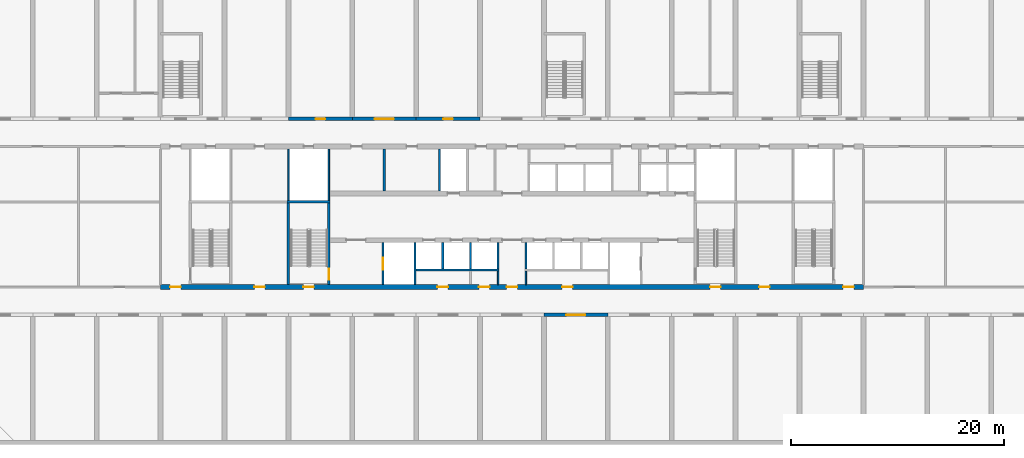
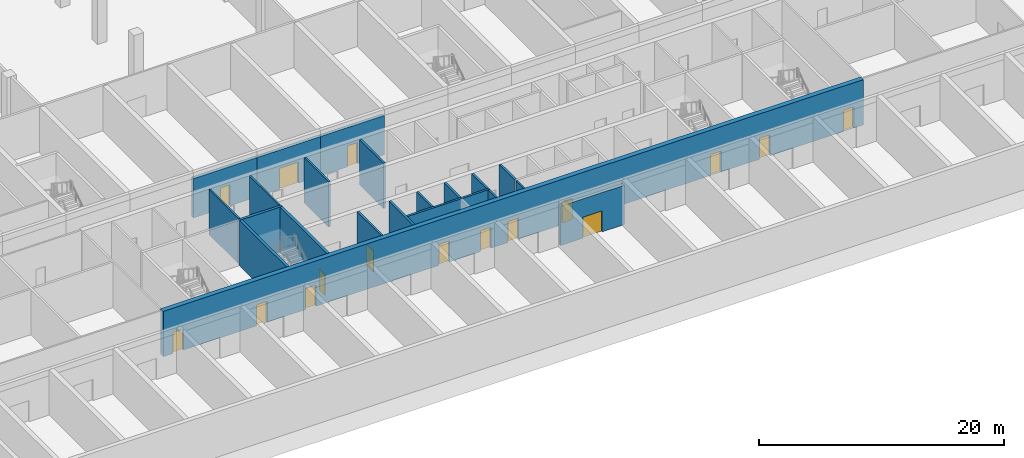
# One storey, part 8 of 20: 21 walls, 16 doors, 16 openings.
"""IFC4 building model written with IfcOpenShell, lengths in metres."""

import ifcopenshell
import ifcopenshell.guid

model = None  # the IFC model being written
_history = None  # IfcOwnerHistory: only IFC2X3 demands one
_inside = {}  # id of a spatial element -> (the spatial element, [elements in it])
_under = {}  # id of a project, library or spatial element -> (it, [spatial elements below it])
_declared = {}  # id of a project -> (the project, [libraries it declares])
_typed = {}  # id of a type object -> (the type object, [elements of that type])
_made_of = {}  # id of a material, layer set ... -> (it, [elements and type objects made of it])


def new_model(schema):
    """Start an empty IFC model of exactly this schema.

    Asked for "IFC4X3", IfcOpenShell would pick the latest addendum, in which some entities
    have other attributes; the version numbers below select the first issue.
    IFC2X3 requires an IfcOwnerHistory on every rooted entity: one is made here for all.
    """
    global model, _history
    if schema == "IFC4X3":
        model = ifcopenshell.file(schema_version=(4, 3, 0, 0))
    else:
        model = ifcopenshell.file(schema=schema)
    _inside.clear()
    _under.clear()
    _declared.clear()
    _typed.clear()
    _made_of.clear()
    _history = None
    if model.schema == "IFC2X3":
        org = make("IfcOrganization", Name="unknown")
        user = make(
            "IfcPersonAndOrganization",
            ThePerson=make("IfcPerson", FamilyName="unknown"),
            TheOrganization=org,
        )
        app = make(
            "IfcApplication",
            ApplicationDeveloper=org,
            Version="unknown",
            ApplicationFullName="unknown",
            ApplicationIdentifier="unknown",
        )
        _history = make(
            "IfcOwnerHistory",
            OwningUser=user,
            OwningApplication=app,
            ChangeAction="ADDED",
            CreationDate=0,
        )
    return model


def make(cls, **values):
    """One entity of the class cls with the attributes given. An attribute that is None is left unset."""
    return model.create_entity(
        cls, **{name: value for name, value in values.items() if value is not None}
    )


def rooted(cls, **values):
    """An entity with a GlobalId (a new one), such as an element, a storey or a relation."""
    return make(cls, GlobalId=ifcopenshell.guid.new(), OwnerHistory=_history, **values)


def si_unit(unit_type, name, prefix=None):
    """IfcSIUnit, for example si_unit("LENGTHUNIT", "METRE", prefix="MILLI")."""
    return make("IfcSIUnit", UnitType=unit_type, Prefix=prefix, Name=name)


def assignment(units):
    """IfcUnitAssignment: the units of a project."""
    return None if units is None else make("IfcUnitAssignment", Units=units)


def point(xyz):
    """IfcCartesianPoint."""
    return None if xyz is None else make("IfcCartesianPoint", Coordinates=xyz)


def direction(xyz):
    """IfcDirection."""
    return None if xyz is None else make("IfcDirection", DirectionRatios=xyz)


def frame(location, z_axis=None, x_axis=None):
    """IfcAxis2Placement3D, a coordinate frame: its origin and axes. An axis left out is left unset."""
    return make(
        "IfcAxis2Placement3D",
        Location=point(location),
        Axis=direction(z_axis),
        RefDirection=direction(x_axis),
    )


def frame_2d(location, x_axis=None):
    """IfcAxis2Placement2D, a coordinate frame in the plane: its origin and x axis."""
    return make(
        "IfcAxis2Placement2D", Location=point(location), RefDirection=direction(x_axis)
    )


def origin():
    """The frame at (0, 0, 0) with its axes left unset."""
    return frame((0.0, 0.0, 0.0))


def place(relative_to, where):
    """IfcLocalPlacement: puts the frame where relative to a parent placement (None: the world)."""
    return make(
        "IfcLocalPlacement", PlacementRelTo=relative_to, RelativePlacement=where
    )


def context(
    kind, dimensions, precision=None, world=None, true_north=None, identifier=None
):
    """IfcGeometricRepresentationContext, for example the 3D "Model" context."""
    return make(
        "IfcGeometricRepresentationContext",
        ContextIdentifier=identifier,
        ContextType=kind,
        CoordinateSpaceDimension=dimensions,
        Precision=precision,
        WorldCoordinateSystem=world,
        TrueNorth=true_north,
    )


def subcontext(parent, identifier, kind, view, scale=None):
    """IfcGeometricRepresentationSubContext, for example "Body" below "Model"."""
    return make(
        "IfcGeometricRepresentationSubContext",
        ContextIdentifier=identifier,
        ContextType=kind,
        ParentContext=parent,
        TargetScale=scale,
        TargetView=view,
    )


def project(units=None, contexts=None):
    """IfcProject with its units and contexts."""
    return rooted(
        "IfcProject",
        Name="project",
        RepresentationContexts=contexts,
        UnitsInContext=assignment(units),
    )


def spatial(cls, under=None, at=None, **own):
    """A site, building, storey or space (cls), placed at a placement, below another one or the project."""
    s = rooted(cls, ObjectPlacement=at, **own)
    if under is not None:
        _under.setdefault(under.id(), (under, []))[1].append(s)
    return s


def profile(cls, at=None, kind="AREA", **sizes):
    """A parametric profile (cls). Its sizes go by their IFC names, for example OverallWidth=200.0."""
    return make(cls, ProfileType=kind, Position=at, **sizes)


def rectangle(**sizes):
    """IfcRectangleProfileDef."""
    return profile("IfcRectangleProfileDef", **sizes)


def extrude(swept, where, along, depth):
    """IfcExtrudedAreaSolid: the profile swept, set in the frame where, extruded along a direction by depth."""
    return make(
        "IfcExtrudedAreaSolid",
        SweptArea=swept,
        Position=where,
        ExtrudedDirection=direction(along),
        Depth=depth,
    )


def shape(context_of_items, identifier, shape_type, items):
    """IfcShapeRepresentation: the items that make up one representation, for example the "Body"."""
    return make(
        "IfcShapeRepresentation",
        ContextOfItems=context_of_items,
        RepresentationIdentifier=identifier,
        RepresentationType=shape_type,
        Items=items,
    )


def material(Name=None, Category=None):
    """IfcMaterial."""
    return make("IfcMaterial", Name=Name, Category=Category)


def layer(
    of_material, thickness, ventilated=None, Name=None, Category=None, Priority=None
):
    """IfcMaterialLayer: one layer of a wall or slab, of a material (None: an air gap)."""
    return make(
        "IfcMaterialLayer",
        Material=of_material,
        LayerThickness=thickness,
        IsVentilated=ventilated,
        Name=Name,
        Category=Category,
        Priority=Priority,
    )


def layer_set(layers, Name=None):
    """IfcMaterialLayerSet."""
    return make("IfcMaterialLayerSet", MaterialLayers=layers, LayerSetName=Name)


def made_of(thing, what):
    """Note that an element or type object is made of a material, layer set ...; save() writes the relation."""
    if what is not None:
        _made_of.setdefault(what.id(), (what, []))[1].append(thing)
    return thing


def type_object(cls, material=None, **own):
    """A type object (cls), such as IfcWallType, which elements share."""
    return made_of(rooted(cls, **own), material)


def element(
    cls,
    number,
    at=None,
    inside=None,
    cuts=None,
    type_object=None,
    material=None,
    context=None,
    identifier="Body",
    shape_type=None,
    held_by="IfcProductDefinitionShape",
    body=None,
    shapes=None,
    **own,
):
    """One element of the class cls, such as IfcWall. Its Tag is "e" and its number.

    at: its placement. inside: the storey or other place that contains it. cuts: it is an
    opening in that element (IfcRelVoidsElement). A single representation is given by context,
    identifier, shape_type and body (its items); several are given by shapes. held_by: the class
    of the entity that holds the representations. save() writes the other relations.
    """
    e = rooted(cls, Tag="e%d" % number, ObjectPlacement=at, **own)
    if body is not None:
        shapes = [shape(context, identifier, shape_type, body)]
    if shapes is not None:
        e.Representation = make(held_by, Representations=shapes)
    if inside is not None:
        _inside.setdefault(inside.id(), (inside, []))[1].append(e)
    if cuts is not None:
        rooted(
            "IfcRelVoidsElement", RelatingBuildingElement=cuts, RelatedOpeningElement=e
        )
    if type_object is not None:
        _typed.setdefault(type_object.id(), (type_object, []))[1].append(e)
    return made_of(e, material)


def fill(opening, filler):
    """IfcRelFillsElement: the door or window that sits in an opening."""
    return rooted(
        "IfcRelFillsElement",
        RelatingOpeningElement=opening,
        RelatedBuildingElement=filler,
    )


def aggregate(whole, parts):
    """IfcRelAggregates: a whole, such as a stair, and the parts it consists of."""
    return rooted("IfcRelAggregates", RelatingObject=whole, RelatedObjects=parts)


def save(model, path):
    """Write the relations noted so far, then the file.

    IfcRelAggregates (storeys below a building ...), IfcRelContainedInSpatialStructure (elements
    in a storey), IfcRelDefinesByType, IfcRelAssociatesMaterial and IfcRelDeclares: one each for
    every whole, place, type object, material and project.
    """
    for whole, parts in _under.values():
        aggregate(whole, parts)
    for where, things in _inside.values():
        rooted(
            "IfcRelContainedInSpatialStructure",
            RelatedElements=things,
            RelatingStructure=where,
        )
    for kind, things in _typed.values():
        rooted("IfcRelDefinesByType", RelatedObjects=things, RelatingType=kind)
    for what, things in _made_of.values():
        rooted("IfcRelAssociatesMaterial", RelatedObjects=things, RelatingMaterial=what)
    for by, libraries in _declared.values():
        rooted("IfcRelDeclares", RelatingContext=by, RelatedDefinitions=libraries)
    model.write(path)


model = new_model("IFC4")

# Units and contexts
model_context = context("Model", 3, precision=1e-05, world=origin(), true_north=direction((0.0, 1.0)))
body_context = subcontext(model_context, "Body", "Model", "MODEL_VIEW")
ifc_project = project(units=[si_unit("LENGTHUNIT", "METRE"), si_unit("AREAUNIT", "SQUARE_METRE"), si_unit("VOLUMEUNIT", "CUBIC_METRE"), si_unit("PLANEANGLEUNIT", "RADIAN"), si_unit("MASSUNIT", "GRAM", prefix="KILO")], contexts=[model_context])

# Site, building, storey
site_placement = place(None, origin())
site = spatial("IfcSite", under=ifc_project, at=site_placement, CompositionType="ELEMENT")
building_placement = place(site_placement, origin())
building = spatial("IfcBuilding", under=site, at=building_placement, Name="Poui Terraces", CompositionType="ELEMENT")
storey_placement = place(building_placement, frame((0.0, 0.0, 6.0)))
storey = spatial("IfcBuildingStorey", under=building, at=storey_placement, Name="L01", CompositionType="ELEMENT", Elevation=6.0)

# Walls
ifc_material_1 = material(Name="Fire-rated masonry wall", Category="masonry")
ifc_layer_1 = layer(ifc_material_1, 0.199951171875)
ifc_layer_set_1 = layer_set([ifc_layer_1], Name="Fire-rated masonry wall")
wall_type_1 = type_object("IfcWallType", Name="COMPARTMENT WALL 200", PredefinedType="PARTITIONING", material=ifc_layer_set_1)
wall_1_placement = place(storey_placement, frame((39.0, 23.635009765625, 0.0), z_axis=(0.0, 0.0, 1.0), x_axis=(0.0, 1.0, 0.0)))
element("IfcWall", 1, at=wall_1_placement, inside=storey, type_object=wall_type_1, Name="COMPARTMENT WALL 200", PredefinedType="PARTITIONING", context=body_context, shape_type="SweptSolid", body=[
    extrude(rectangle(XDim=3.929931640625, YDim=0.199951171875, at=frame_2d((1.96484375, 0.0))), origin(), (0.0, 0.0, 1.0), 4.52001953125),
])
ifc_material_2 = material(Name="Fire-rated plasterboard wall")
ifc_layer_2 = layer(ifc_material_2, 0.14990234375)
ifc_layer_set_2 = layer_set([ifc_layer_2], Name="Fire-rated plasterboard wall")
wall_type_2 = type_object("IfcWallType", Name="CORRIDOR WALL 150", PredefinedType="PARTITIONING", material=ifc_layer_set_2)
for number, where, z_axis, x_axis, name in (
    (2, (49.699951171875, 14.8349609375, 0.0), (0.0, 0.0, 1.0), (0.0, 1.0, 0.0), "CORRIDOR WALL 150"),
    (3, (52.300048828125, 14.8349609375, 0.0), (0.0, 0.0, 1.0), (0.0, 1.0, 0.0), "CORRIDOR WALL 150"),
):
    element("IfcWall", number, at=place(storey_placement, frame(where, z_axis=z_axis, x_axis=x_axis)), inside=storey, type_object=wall_type_2, Name=name, PredefinedType="PARTITIONING", context=body_context, shape_type="SweptSolid", body=[
        extrude(rectangle(XDim=1.26513671875, YDim=0.14990234375, at=frame_2d((0.632568359375, 0.0))), origin(), (0.0, 0.0, 1.0), 4.52001953125),
    ])

# Wall, opening, door
ifc_material_3 = material(Name="Concrete 80 MPa", Category="concrete")
ifc_layer_3 = layer(ifc_material_3, 0.300048828125)
ifc_layer_set_3 = layer_set([ifc_layer_3], Name="Concrete 80 MPa")
wall_type_3 = type_object("IfcWallType", Name="CORRIDOR WALL 300 80MPa", PredefinedType="SHEAR", material=ifc_layer_set_3)
wall_2_placement = place(storey_placement, frame((54.0, 12.0, 0.0), z_axis=(0.0, 0.0, 1.0), x_axis=(1.0, 0.0, 0.0)))
wall_2 = element("IfcWall", 4, at=wall_2_placement, inside=storey, type_object=wall_type_3, Name="CORRIDOR WALL LINE B BAY 10", PredefinedType="SHEAR", context=body_context, shape_type="SweptSolid", body=[
    extrude(rectangle(XDim=6.0, YDim=0.300048828125, at=frame_2d((3.0, 0.0))), origin(), (0.0, 0.0, 1.0), 3.919921875),
])
opening_1_placement = place(wall_2_placement, frame((2.10009765625, 0.0, 0.0)))
opening_1 = element("IfcOpeningElement", 5, at=opening_1_placement, cuts=wall_2, Name="Opening DD180", PredefinedType="OPENING", context=body_context, shape_type="SweptSolid", body=[
    extrude(rectangle(XDim=1.800048828125, YDim=2.10009765625, at=frame_2d((0.89990234375, 1.050048828125))), frame((0.0, 0.16015625, 0.0), z_axis=(0.0, -1.0, 0.0), x_axis=(1.0, 0.0, 0.0)), (0.0, 0.0, 1.0), 0.320068359375),
])
ifc_material_4 = material(Name="Steel fire door", Category="steel")
door_type_1 = type_object("IfcDoorType", Name="DOUBLE INTERNAL DOOR 1800 X 2100", OperationType="DOUBLE_DOOR_SINGLE_SWING", PredefinedType="DOOR", material=ifc_material_4)
door_1_placement = place(opening_1_placement, origin())
door_1 = element("IfcDoor", 6, at=door_1_placement, inside=storey, type_object=door_type_1, Name="DOUBLE INTERNAL DOOR 059", OperationType="DOUBLE_DOOR_SINGLE_SWING", OverallHeight=2.10009765625, OverallWidth=1.800048828125, PredefinedType="DOOR", context=body_context, shape_type="SweptSolid", body=[
    extrude(rectangle(XDim=1.800048828125, YDim=2.10009765625, at=frame_2d((0.89990234375, 1.050048828125))), frame((0.0, 0.02490234375, 0.0), z_axis=(0.0, -1.0, 0.0), x_axis=(1.0, 0.0, 0.0)), (0.0, 0.0, 1.0), 0.050048828125),
])
fill(opening_1, door_1)

wall_3_placement = place(storey_placement, frame((30.0, 30.39990234375, 0.0), z_axis=(0.0, 0.0, 1.0), x_axis=(1.0, 0.0, 0.0)))
wall_3 = element("IfcWall", 7, at=wall_3_placement, inside=storey, type_object=wall_type_3, Name="CORRIDOR WALL LINE E BAY 6", PredefinedType="SHEAR", context=body_context, shape_type="SweptSolid", body=[
    extrude(rectangle(XDim=6.0, YDim=0.300048828125, at=frame_2d((3.0, 0.0))), origin(), (0.0, 0.0, 1.0), 3.919921875),
])
opening_2_placement = place(wall_3_placement, frame((2.550048828125, 0.0, 0.0)))
opening_2 = element("IfcOpeningElement", 8, at=opening_2_placement, cuts=wall_3, Name="Opening D90", PredefinedType="OPENING", context=body_context, shape_type="SweptSolid", body=[
    extrude(rectangle(XDim=0.89990234375, YDim=2.10009765625, at=frame_2d((0.449951171875, 1.050048828125))), frame((0.0, 0.16015625, 0.0), z_axis=(0.0, -1.0, 0.0), x_axis=(1.0, 0.0, 0.0)), (0.0, 0.0, 1.0), 0.320068359375),
])
ifc_material_5 = material(Name="Solid core timber door", Category="wood")
door_type_2 = type_object("IfcDoorType", Name="INTERNAL DOOR 900 X 2100", OperationType="NOTDEFINED", PredefinedType="DOOR", material=ifc_material_5)
door_2_placement = place(opening_2_placement, frame((0.89990234375, 0.0, 0.0), z_axis=(0.0, 0.0, 1.0), x_axis=(-1.0, 0.0, 0.0)))
door_2 = element("IfcDoor", 9, at=door_2_placement, inside=storey, type_object=door_type_2, Name="INTERNAL DOOR 014", OperationType="SINGLE_SWING_LEFT", OverallHeight=2.10009765625, OverallWidth=0.89990234375, PredefinedType="DOOR", context=body_context, shape_type="SweptSolid", body=[
    extrude(rectangle(XDim=0.89990234375, YDim=2.10009765625, at=frame_2d((0.449951171875, 1.050048828125))), frame((0.0, 0.02490234375, 0.0), z_axis=(0.0, -1.0, 0.0), x_axis=(1.0, 0.0, 0.0)), (0.0, 0.0, 1.0), 0.050048828125),
])
fill(opening_2, door_2)

wall_4_placement = place(storey_placement, frame((36.0, 30.39990234375, 0.0), z_axis=(0.0, 0.0, 1.0), x_axis=(1.0, 0.0, 0.0)))
wall_4 = element("IfcWall", 10, at=wall_4_placement, inside=storey, type_object=wall_type_3, Name="CORRIDOR WALL LINE E BAY 7", PredefinedType="SHEAR", context=body_context, shape_type="SweptSolid", body=[
    extrude(rectangle(XDim=6.0, YDim=0.300048828125, at=frame_2d((3.0, 0.0))), origin(), (0.0, 0.0, 1.0), 3.919921875),
])
opening_3_placement = place(wall_4_placement, frame((2.10009765625, 0.0, 0.0)))
opening_3 = element("IfcOpeningElement", 11, at=opening_3_placement, cuts=wall_4, Name="Opening DD180", PredefinedType="OPENING", context=body_context, shape_type="SweptSolid", body=[
    extrude(rectangle(XDim=1.800048828125, YDim=2.10009765625, at=frame_2d((0.89990234375, 1.050048828125))), frame((0.0, 0.16015625, 0.0), z_axis=(0.0, -1.0, 0.0), x_axis=(1.0, 0.0, 0.0)), (0.0, 0.0, 1.0), 0.320068359375),
])
door_3_placement = place(opening_3_placement, frame((1.800048828125, 0.0, 0.0), z_axis=(0.0, 0.0, 1.0), x_axis=(-1.0, 0.0, 0.0)))
door_3 = element("IfcDoor", 12, at=door_3_placement, inside=storey, type_object=door_type_1, Name="DOUBLE INTERNAL DOOR 016", OperationType="DOUBLE_DOOR_SINGLE_SWING", OverallHeight=2.10009765625, OverallWidth=1.800048828125, PredefinedType="DOOR", context=body_context, shape_type="SweptSolid", body=[
    extrude(rectangle(XDim=1.800048828125, YDim=2.10009765625, at=frame_2d((0.89990234375, 1.050048828125))), frame((0.0, 0.02490234375, 0.0), z_axis=(0.0, -1.0, 0.0), x_axis=(1.0, 0.0, 0.0)), (0.0, 0.0, 1.0), 0.050048828125),
])
fill(opening_3, door_3)

wall_5_placement = place(storey_placement, frame((42.0, 30.39990234375, 0.0), z_axis=(0.0, 0.0, 1.0), x_axis=(1.0, 0.0, 0.0)))
wall_5 = element("IfcWall", 13, at=wall_5_placement, inside=storey, type_object=wall_type_3, Name="CORRIDOR WALL LINE E BAY 8", PredefinedType="SHEAR", context=body_context, shape_type="SweptSolid", body=[
    extrude(rectangle(XDim=6.0, YDim=0.300048828125, at=frame_2d((3.0, 0.0))), origin(), (0.0, 0.0, 1.0), 3.919921875),
])
opening_4_placement = place(wall_5_placement, frame((2.550048828125, 0.0, 0.0)))
opening_4 = element("IfcOpeningElement", 14, at=opening_4_placement, cuts=wall_5, Name="Opening D90", PredefinedType="OPENING", context=body_context, shape_type="SweptSolid", body=[
    extrude(rectangle(XDim=0.89990234375, YDim=2.10009765625, at=frame_2d((0.449951171875, 1.050048828125))), frame((0.0, 0.16015625, 0.0), z_axis=(0.0, -1.0, 0.0), x_axis=(1.0, 0.0, 0.0)), (0.0, 0.0, 1.0), 0.320068359375),
])
door_4_placement = place(opening_4_placement, frame((0.89990234375, 0.0, 0.0), z_axis=(0.0, 0.0, 1.0), x_axis=(-1.0, 0.0, 0.0)))
door_4 = element("IfcDoor", 15, at=door_4_placement, inside=storey, type_object=door_type_2, Name="INTERNAL DOOR 018", OperationType="SINGLE_SWING_LEFT", OverallHeight=2.10009765625, OverallWidth=0.89990234375, PredefinedType="DOOR", context=body_context, shape_type="SweptSolid", body=[
    extrude(rectangle(XDim=0.89990234375, YDim=2.10009765625, at=frame_2d((0.449951171875, 1.050048828125))), frame((0.0, 0.02490234375, 0.0), z_axis=(0.0, -1.0, 0.0), x_axis=(1.0, 0.0, 0.0)), (0.0, 0.0, 1.0), 0.050048828125),
])
fill(opening_4, door_4)

# Walls
ifc_material_6 = material(Name="Fire-rated plasterboard riser wall")
ifc_layer_4 = layer(ifc_material_6, 0.14990234375)
ifc_layer_set_4 = layer_set([ifc_layer_4], Name="Fire-rated plasterboard riser wall")
wall_type_4 = type_object("IfcWallType", Name="RISER WALL 150", PredefinedType="PARTITIONING", material=ifc_layer_set_4)
for number, where, z_axis, x_axis, name in (
    (16, (30.0, 22.735107421875, 0.0), (0.0, 0.0, 1.0), (0.0, 1.0, 0.0), "RISER WALL 150"),
    (17, (33.800048828125, 22.735107421875, 0.0), (0.0, 0.0, 1.0), (0.0, 1.0, 0.0), "RISER WALL 150"),
):
    element("IfcWall", number, at=place(storey_placement, frame(where, z_axis=z_axis, x_axis=x_axis)), inside=storey, type_object=wall_type_4, Name=name, PredefinedType="PARTITIONING", context=body_context, shape_type="SweptSolid", body=[
        extrude(rectangle(XDim=4.829833984375, YDim=0.14990234375, at=frame_2d((2.4150390625, 0.0))), origin(), (0.0, 0.0, 1.0), 4.52001953125),
    ])
ifc_material_7 = material(Name="Fire-rated masonry shaft wall", Category="masonry")
ifc_layer_5 = layer(ifc_material_7, 0.199951171875)
ifc_layer_set_5 = layer_set([ifc_layer_5], Name="Fire-rated masonry shaft wall")
wall_type_5 = type_object("IfcWallType", Name="SHAFT WALL 200", PredefinedType="PARTITIONING", material=ifc_layer_set_5)
wall_6_placement = place(storey_placement, frame((42.0, 16.199951171875, 0.0), z_axis=(0.0, 0.0, 1.0), x_axis=(1.0, 0.0, 0.0)))
element("IfcWall", 18, at=wall_6_placement, inside=storey, type_object=wall_type_5, Name="SHAFT WALL 200", PredefinedType="PARTITIONING", context=body_context, shape_type="SweptSolid", body=[
    extrude(rectangle(XDim=7.800048828125, YDim=0.199951171875, at=frame_2d((3.89990234375, 0.0))), origin(), (0.0, 0.0, 1.0), 4.52001953125),
])

# Wall, opening, door
wall_7_placement = place(storey_placement, frame((38.89990234375, 14.8349609375, 0.0), z_axis=(0.0, 0.0, 1.0), x_axis=(0.0, 1.0, 0.0)))
wall_7 = element("IfcWall", 19, at=wall_7_placement, inside=storey, type_object=wall_type_5, Name="SHAFT WALL 200", PredefinedType="PARTITIONING", context=body_context, shape_type="SweptSolid", body=[
    extrude(rectangle(XDim=3.929931640625, YDim=0.199951171875, at=frame_2d((1.96484375, 0.0))), origin(), (0.0, 0.0, 1.0), 4.52001953125),
])
opening_5_placement = place(wall_7_placement, frame((1.4150390625, 0.0, 0.0)))
opening_5 = element("IfcOpeningElement", 20, at=opening_5_placement, cuts=wall_7, Name="Opening LD", PredefinedType="OPENING", context=body_context, shape_type="SweptSolid", body=[
    extrude(rectangle(XDim=1.10009765625, YDim=2.10009765625, at=frame_2d((0.550048828125, 1.050048828125))), frame((0.0, 0.10986328125, 0.0), z_axis=(0.0, -1.0, 0.0), x_axis=(1.0, 0.0, 0.0)), (0.0, 0.0, 1.0), 0.219970703125),
])
ifc_material_8 = material(Name="Stainless steel sliding door", Category="steel")
door_type_3 = type_object("IfcDoorType", Name="LIFT LANDING DOOR 1100 X 2100", OperationType="DOUBLE_DOOR_SLIDING", PredefinedType="DOOR", material=ifc_material_8)
door_5_placement = place(opening_5_placement, origin())
door_5 = element("IfcDoor", 21, at=door_5_placement, inside=storey, type_object=door_type_3, Name="LANDING DOOR", OperationType="DOUBLE_DOOR_SLIDING", OverallHeight=2.10009765625, OverallWidth=1.10009765625, PredefinedType="DOOR", context=body_context, shape_type="SweptSolid", body=[
    extrude(rectangle(XDim=1.10009765625, YDim=2.10009765625, at=frame_2d((0.550048828125, 1.050048828125))), frame((0.0, 0.02490234375, 0.0), z_axis=(0.0, -1.0, 0.0), x_axis=(1.0, 0.0, 0.0)), (0.0, 0.0, 1.0), 0.050048828125),
])
fill(opening_5, door_5)

# Walls
for number, where, z_axis, x_axis, name in (
    (22, (41.89990234375, 14.8349609375, 0.0), (0.0, 0.0, 1.0), (0.0, 1.0, 0.0), "SHAFT WALL 200"),
    (23, (44.199951171875, 23.635009765625, 0.0), (0.0, 0.0, 1.0), (0.0, 1.0, 0.0), "SHAFT WALL 200"),
):
    element("IfcWall", number, at=place(storey_placement, frame(where, z_axis=z_axis, x_axis=x_axis)), inside=storey, type_object=wall_type_5, Name=name, PredefinedType="PARTITIONING", context=body_context, shape_type="SweptSolid", body=[
        extrude(rectangle(XDim=3.929931640625, YDim=0.199951171875, at=frame_2d((1.96484375, 0.0))), origin(), (0.0, 0.0, 1.0), 4.52001953125),
    ])
for number, where, z_axis, x_axis, name in (
    (24, (44.5, 16.300048828125, 0.0), (0.0, 0.0, 1.0), (0.0, 1.0, 0.0), "SHAFT WALL 200"),
    (25, (47.10009765625, 16.300048828125, 0.0), (0.0, 0.0, 1.0), (0.0, 1.0, 0.0), "SHAFT WALL 200"),
    (26, (49.699951171875, 16.300048828125, 0.0), (0.0, 0.0, 1.0), (0.0, 1.0, 0.0), "SHAFT WALL 200"),
    (27, (52.300048828125, 16.300048828125, 0.0), (0.0, 0.0, 1.0), (0.0, 1.0, 0.0), "SHAFT WALL 200"),
):
    element("IfcWall", number, at=place(storey_placement, frame(where, z_axis=z_axis, x_axis=x_axis)), inside=storey, type_object=wall_type_5, Name=name, PredefinedType="PARTITIONING", context=body_context, shape_type="SweptSolid", body=[
        extrude(rectangle(XDim=2.46484375, YDim=0.199951171875, at=frame_2d((1.232421875, 0.0))), origin(), (0.0, 0.0, 1.0), 4.52001953125),
    ])

# Wall, openings, doors
ifc_layer_6 = layer(ifc_material_3, 0.449951171875)
ifc_layer_set_6 = layer_set([ifc_layer_6], Name="Concrete 80 MPa")
wall_type_6 = type_object("IfcWallType", Name="SPINE WALL 450 80 MPA", PredefinedType="SOLIDWALL", material=ifc_layer_set_6)
wall_8_placement = place(storey_placement, frame((18.0, 14.60009765625, 0.0), z_axis=(0.0, 0.0, 1.0), x_axis=(1.0, 0.0, 0.0)))
wall_8 = element("IfcWall", 28, at=wall_8_placement, inside=storey, type_object=wall_type_6, Name="SPINE WALL", PredefinedType="SOLIDWALL", context=body_context, shape_type="SweptSolid", body=[
    extrude(rectangle(XDim=66.0, YDim=0.449951171875, at=frame_2d((33.0, 0.0))), origin(), (0.0, 0.0, 1.0), 4.52001953125),
])
opening_6_placement = place(wall_8_placement, frame((0.89990234375, 0.0, 0.0)))
opening_6 = element("IfcOpeningElement", 29, at=opening_6_placement, cuts=wall_8, Name="Opening FDL", PredefinedType="OPENING", context=body_context, shape_type="SweptSolid", body=[
    extrude(rectangle(XDim=1.0, YDim=2.10009765625, at=frame_2d((0.5, 1.050048828125))), frame((0.0, 0.23486328125, 0.0), z_axis=(0.0, -1.0, 0.0), x_axis=(1.0, 0.0, 0.0)), (0.0, 0.0, 1.0), 0.469970703125),
])
opening_7_placement = place(wall_8_placement, frame((8.800048828125, 0.0, 0.0)))
opening_7 = element("IfcOpeningElement", 30, at=opening_7_placement, cuts=wall_8, Name="Opening D100", PredefinedType="OPENING", context=body_context, shape_type="SweptSolid", body=[
    extrude(rectangle(XDim=1.0, YDim=2.10009765625, at=frame_2d((0.5, 1.050048828125))), frame((0.0, 0.23486328125, 0.0), z_axis=(0.0, -1.0, 0.0), x_axis=(1.0, 0.0, 0.0)), (0.0, 0.0, 1.0), 0.469970703125),
])
opening_8_placement = place(wall_8_placement, frame((13.39990234375, 0.0, 0.0)))
opening_8 = element("IfcOpeningElement", 31, at=opening_8_placement, cuts=wall_8, Name="Opening FD60S", PredefinedType="OPENING", context=body_context, shape_type="SweptSolid", body=[
    extrude(rectangle(XDim=1.0, YDim=2.10009765625, at=frame_2d((0.5, 1.050048828125))), frame((0.0, 0.23486328125, 0.0), z_axis=(0.0, -1.0, 0.0), x_axis=(1.0, 0.0, 0.0)), (0.0, 0.0, 1.0), 0.469970703125),
])
opening_9_placement = place(wall_8_placement, frame((26.0, 0.0, 0.0)))
opening_9 = element("IfcOpeningElement", 32, at=opening_9_placement, cuts=wall_8, Name="Opening FD60", PredefinedType="OPENING", context=body_context, shape_type="SweptSolid", body=[
    extrude(rectangle(XDim=1.0, YDim=2.10009765625, at=frame_2d((0.5, 1.050048828125))), frame((0.0, 0.23486328125, 0.0), z_axis=(0.0, -1.0, 0.0), x_axis=(1.0, 0.0, 0.0)), (0.0, 0.0, 1.0), 0.469970703125),
])
opening_10_placement = place(wall_8_placement, frame((29.89990234375, 0.0, 0.0)))
opening_10 = element("IfcOpeningElement", 33, at=opening_10_placement, cuts=wall_8, Name="Opening FD60", PredefinedType="OPENING", context=body_context, shape_type="SweptSolid", body=[
    extrude(rectangle(XDim=1.0, YDim=2.10009765625, at=frame_2d((0.5, 1.050048828125))), frame((0.0, 0.23486328125, 0.0), z_axis=(0.0, -1.0, 0.0), x_axis=(1.0, 0.0, 0.0)), (0.0, 0.0, 1.0), 0.469970703125),
])
opening_11_placement = place(wall_8_placement, frame((32.5, 0.0, 0.0)))
opening_11 = element("IfcOpeningElement", 34, at=opening_11_placement, cuts=wall_8, Name="Opening FDL", PredefinedType="OPENING", context=body_context, shape_type="SweptSolid", body=[
    extrude(rectangle(XDim=1.0, YDim=2.10009765625, at=frame_2d((0.5, 1.050048828125))), frame((0.0, 0.23486328125, 0.0), z_axis=(0.0, -1.0, 0.0), x_axis=(1.0, 0.0, 0.0)), (0.0, 0.0, 1.0), 0.469970703125),
])
opening_12_placement = place(wall_8_placement, frame((37.699951171875, 0.0, 0.0)))
opening_12 = element("IfcOpeningElement", 35, at=opening_12_placement, cuts=wall_8, Name="Opening FD60", PredefinedType="OPENING", context=body_context, shape_type="SweptSolid", body=[
    extrude(rectangle(XDim=1.0, YDim=2.10009765625, at=frame_2d((0.5, 1.050048828125))), frame((0.0, 0.23486328125, 0.0), z_axis=(0.0, -1.0, 0.0), x_axis=(1.0, 0.0, 0.0)), (0.0, 0.0, 1.0), 0.469970703125),
])
opening_13_placement = place(wall_8_placement, frame((51.60009765625, 0.0, 0.0)))
opening_13 = element("IfcOpeningElement", 36, at=opening_13_placement, cuts=wall_8, Name="Opening FD60S", PredefinedType="OPENING", context=body_context, shape_type="SweptSolid", body=[
    extrude(rectangle(XDim=1.0, YDim=2.10009765625, at=frame_2d((0.5, 1.050048828125))), frame((0.0, 0.23486328125, 0.0), z_axis=(0.0, -1.0, 0.0), x_axis=(1.0, 0.0, 0.0)), (0.0, 0.0, 1.0), 0.469970703125),
])
opening_14_placement = place(wall_8_placement, frame((56.199951171875, 0.0, 0.0)))
opening_14 = element("IfcOpeningElement", 37, at=opening_14_placement, cuts=wall_8, Name="Opening D100", PredefinedType="OPENING", context=body_context, shape_type="SweptSolid", body=[
    extrude(rectangle(XDim=1.0, YDim=2.10009765625, at=frame_2d((0.5, 1.050048828125))), frame((0.0, 0.23486328125, 0.0), z_axis=(0.0, -1.0, 0.0), x_axis=(1.0, 0.0, 0.0)), (0.0, 0.0, 1.0), 0.469970703125),
])
opening_15_placement = place(wall_8_placement, frame((64.10009765625, 0.0, 0.0)))
opening_15 = element("IfcOpeningElement", 38, at=opening_15_placement, cuts=wall_8, Name="Opening FDL", PredefinedType="OPENING", context=body_context, shape_type="SweptSolid", body=[
    extrude(rectangle(XDim=1.0, YDim=2.10009765625, at=frame_2d((0.5, 1.050048828125))), frame((0.0, 0.23486328125, 0.0), z_axis=(0.0, -1.0, 0.0), x_axis=(1.0, 0.0, 0.0)), (0.0, 0.0, 1.0), 0.469970703125),
])
door_type_4 = type_object("IfcDoorType", Name="ACCESSIBLE INTERNAL DOOR 1000 X 2100", OperationType="NOTDEFINED", PredefinedType="DOOR", material=ifc_material_5)
door_6_placement = place(opening_7_placement, frame((1.0, 0.0, 0.0), z_axis=(0.0, 0.0, 1.0), x_axis=(-1.0, 0.0, 0.0)))
door_6 = element("IfcDoor", 39, at=door_6_placement, inside=storey, type_object=door_type_4, Name="ACCESSIBLE INTERNAL DOOR 049", OperationType="SINGLE_SWING_RIGHT", OverallHeight=2.10009765625, OverallWidth=1.0, PredefinedType="DOOR", context=body_context, shape_type="SweptSolid", body=[
    extrude(rectangle(XDim=1.0, YDim=2.10009765625, at=frame_2d((0.5, 1.050048828125))), frame((0.0, 0.02490234375, 0.0), z_axis=(0.0, -1.0, 0.0), x_axis=(1.0, 0.0, 0.0)), (0.0, 0.0, 1.0), 0.050048828125),
])
fill(opening_7, door_6)
door_7_placement = place(opening_14_placement, frame((1.0, 0.0, 0.0), z_axis=(0.0, 0.0, 1.0), x_axis=(-1.0, 0.0, 0.0)))
door_7 = element("IfcDoor", 40, at=door_7_placement, inside=storey, type_object=door_type_4, Name="ACCESSIBLE INTERNAL DOOR 063", OperationType="SINGLE_SWING_RIGHT", OverallHeight=2.10009765625, OverallWidth=1.0, PredefinedType="DOOR", context=body_context, shape_type="SweptSolid", body=[
    extrude(rectangle(XDim=1.0, YDim=2.10009765625, at=frame_2d((0.5, 1.050048828125))), frame((0.0, 0.02490234375, 0.0), z_axis=(0.0, -1.0, 0.0), x_axis=(1.0, 0.0, 0.0)), (0.0, 0.0, 1.0), 0.050048828125),
])
fill(opening_14, door_7)
door_type_5 = type_object("IfcDoorType", Name="LOBBY FIRE DOOR 1000 X 2100", OperationType="NOTDEFINED", PredefinedType="DOOR", material=ifc_material_4)
door_8_placement = place(opening_6_placement, frame((1.0, 0.0, 0.0), z_axis=(0.0, 0.0, 1.0), x_axis=(-1.0, 0.0, 0.0)))
door_8 = element("IfcDoor", 41, at=door_8_placement, inside=storey, type_object=door_type_5, Name="LOBBY FIRE DOOR 046", OperationType="SINGLE_SWING_RIGHT", OverallHeight=2.10009765625, OverallWidth=1.0, PredefinedType="DOOR", context=body_context, shape_type="SweptSolid", body=[
    extrude(rectangle(XDim=1.0, YDim=2.10009765625, at=frame_2d((0.5, 1.050048828125))), frame((0.0, 0.02490234375, 0.0), z_axis=(0.0, -1.0, 0.0), x_axis=(1.0, 0.0, 0.0)), (0.0, 0.0, 1.0), 0.050048828125),
])
fill(opening_6, door_8)
door_9_placement = place(opening_11_placement, frame((1.0, 0.0, 0.0), z_axis=(0.0, 0.0, 1.0), x_axis=(-1.0, 0.0, 0.0)))
door_9 = element("IfcDoor", 42, at=door_9_placement, inside=storey, type_object=door_type_5, Name="LOBBY FIRE DOOR 057", OperationType="SINGLE_SWING_LEFT", OverallHeight=2.10009765625, OverallWidth=1.0, PredefinedType="DOOR", context=body_context, shape_type="SweptSolid", body=[
    extrude(rectangle(XDim=1.0, YDim=2.10009765625, at=frame_2d((0.5, 1.050048828125))), frame((0.0, 0.02490234375, 0.0), z_axis=(0.0, -1.0, 0.0), x_axis=(1.0, 0.0, 0.0)), (0.0, 0.0, 1.0), 0.050048828125),
])
fill(opening_11, door_9)
door_10_placement = place(opening_15_placement, frame((1.0, 0.0, 0.0), z_axis=(0.0, 0.0, 1.0), x_axis=(-1.0, 0.0, 0.0)))
door_10 = element("IfcDoor", 43, at=door_10_placement, inside=storey, type_object=door_type_5, Name="LOBBY FIRE DOOR 066", OperationType="SINGLE_SWING_LEFT", OverallHeight=2.10009765625, OverallWidth=1.0, PredefinedType="DOOR", context=body_context, shape_type="SweptSolid", body=[
    extrude(rectangle(XDim=1.0, YDim=2.10009765625, at=frame_2d((0.5, 1.050048828125))), frame((0.0, 0.02490234375, 0.0), z_axis=(0.0, -1.0, 0.0), x_axis=(1.0, 0.0, 0.0)), (0.0, 0.0, 1.0), 0.050048828125),
])
fill(opening_15, door_10)
door_type_6 = type_object("IfcDoorType", Name="SERVICE ROOM FIRE DOOR 1000 X 2100", OperationType="NOTDEFINED", PredefinedType="DOOR", material=ifc_material_4)
door_11_placement = place(opening_9_placement, frame((1.0, 0.0, 0.0), z_axis=(0.0, 0.0, 1.0), x_axis=(-1.0, 0.0, 0.0)))
door_11 = element("IfcDoor", 44, at=door_11_placement, inside=storey, type_object=door_type_6, Name="SERVICE ROOM FIRE DOOR 053", OperationType="SINGLE_SWING_LEFT", OverallHeight=2.10009765625, OverallWidth=1.0, PredefinedType="DOOR", context=body_context, shape_type="SweptSolid", body=[
    extrude(rectangle(XDim=1.0, YDim=2.10009765625, at=frame_2d((0.5, 1.050048828125))), frame((0.0, 0.02490234375, 0.0), z_axis=(0.0, -1.0, 0.0), x_axis=(1.0, 0.0, 0.0)), (0.0, 0.0, 1.0), 0.050048828125),
])
fill(opening_9, door_11)
door_12_placement = place(opening_10_placement, frame((1.0, 0.0, 0.0), z_axis=(0.0, 0.0, 1.0), x_axis=(-1.0, 0.0, 0.0)))
door_12 = element("IfcDoor", 45, at=door_12_placement, inside=storey, type_object=door_type_6, Name="SERVICE ROOM FIRE DOOR 055", OperationType="SINGLE_SWING_RIGHT", OverallHeight=2.10009765625, OverallWidth=1.0, PredefinedType="DOOR", context=body_context, shape_type="SweptSolid", body=[
    extrude(rectangle(XDim=1.0, YDim=2.10009765625, at=frame_2d((0.5, 1.050048828125))), frame((0.0, 0.02490234375, 0.0), z_axis=(0.0, -1.0, 0.0), x_axis=(1.0, 0.0, 0.0)), (0.0, 0.0, 1.0), 0.050048828125),
])
fill(opening_10, door_12)
door_13_placement = place(opening_12_placement, frame((1.0, 0.0, 0.0), z_axis=(0.0, 0.0, 1.0), x_axis=(-1.0, 0.0, 0.0)))
door_13 = element("IfcDoor", 46, at=door_13_placement, inside=storey, type_object=door_type_6, Name="SERVICE ROOM FIRE DOOR 058", OperationType="SINGLE_SWING_LEFT", OverallHeight=2.10009765625, OverallWidth=1.0, PredefinedType="DOOR", context=body_context, shape_type="SweptSolid", body=[
    extrude(rectangle(XDim=1.0, YDim=2.10009765625, at=frame_2d((0.5, 1.050048828125))), frame((0.0, 0.02490234375, 0.0), z_axis=(0.0, -1.0, 0.0), x_axis=(1.0, 0.0, 0.0)), (0.0, 0.0, 1.0), 0.050048828125),
])
fill(opening_12, door_13)
door_type_7 = type_object("IfcDoorType", Name="STAIR DOOR 1000 X 2100", OperationType="NOTDEFINED", PredefinedType="DOOR", material=ifc_material_4)
door_14_placement = place(opening_8_placement, origin())
door_14 = element("IfcDoor", 47, at=door_14_placement, inside=storey, type_object=door_type_7, Name="STAIR DOOR 050", OperationType="SINGLE_SWING_RIGHT", OverallHeight=2.10009765625, OverallWidth=1.0, PredefinedType="DOOR", context=body_context, shape_type="SweptSolid", body=[
    extrude(rectangle(XDim=1.0, YDim=2.10009765625, at=frame_2d((0.5, 1.050048828125))), frame((0.0, 0.02490234375, 0.0), z_axis=(0.0, -1.0, 0.0), x_axis=(1.0, 0.0, 0.0)), (0.0, 0.0, 1.0), 0.050048828125),
])
fill(opening_8, door_14)
door_15_placement = place(opening_13_placement, origin())
door_15 = element("IfcDoor", 48, at=door_15_placement, inside=storey, type_object=door_type_7, Name="STAIR DOOR 062", OperationType="SINGLE_SWING_RIGHT", OverallHeight=2.10009765625, OverallWidth=1.0, PredefinedType="DOOR", context=body_context, shape_type="SweptSolid", body=[
    extrude(rectangle(XDim=1.0, YDim=2.10009765625, at=frame_2d((0.5, 1.050048828125))), frame((0.0, 0.02490234375, 0.0), z_axis=(0.0, -1.0, 0.0), x_axis=(1.0, 0.0, 0.0)), (0.0, 0.0, 1.0), 0.050048828125),
])
fill(opening_13, door_15)

# Wall
ifc_layer_7 = layer(ifc_material_3, 0.25)
ifc_layer_set_7 = layer_set([ifc_layer_7], Name="Concrete 80 MPa")
wall_type_7 = type_object("IfcWallType", Name="STAIR CORE WALL 250 80 MPA", PredefinedType="SOLIDWALL", material=ifc_layer_set_7)
wall_9_placement = place(storey_placement, frame((30.0, 14.824951171875, 0.0), z_axis=(0.0, 0.0, 1.0), x_axis=(0.0, 1.0, 0.0)))
element("IfcWall", 49, at=wall_9_placement, inside=storey, type_object=wall_type_7, Name="STAIR CORE WALL", PredefinedType="SOLIDWALL", context=body_context, shape_type="SweptSolid", body=[
    extrude(rectangle(XDim=7.650146484375, YDim=0.25, at=frame_2d((3.8251953125, 0.0))), origin(), (0.0, 0.0, 1.0), 4.52001953125),
])

# Wall, opening, door
wall_10_placement = place(storey_placement, frame((33.800048828125, 14.824951171875, 0.0), z_axis=(0.0, 0.0, 1.0), x_axis=(0.0, 1.0, 0.0)))
wall_10 = element("IfcWall", 50, at=wall_10_placement, inside=storey, type_object=wall_type_7, Name="STAIR CORE WALL", PredefinedType="SOLIDWALL", context=body_context, shape_type="SweptSolid", body=[
    extrude(rectangle(XDim=7.650146484375, YDim=0.25, at=frame_2d((3.8251953125, 0.0))), origin(), (0.0, 0.0, 1.0), 4.52001953125),
])
opening_16_placement = place(wall_10_placement, frame((0.47509765625, 0.0, 0.0)))
opening_16 = element("IfcOpeningElement", 51, at=opening_16_placement, cuts=wall_10, Name="Opening FD60S", PredefinedType="OPENING", context=body_context, shape_type="SweptSolid", body=[
    extrude(rectangle(XDim=1.0, YDim=2.10009765625, at=frame_2d((0.5, 1.050048828125))), frame((0.0, 0.135009765625, 0.0), z_axis=(0.0, -1.0, 0.0), x_axis=(1.0, 0.0, 0.0)), (0.0, 0.0, 1.0), 0.27001953125),
])
door_16_placement = place(opening_16_placement, origin())
door_16 = element("IfcDoor", 52, at=door_16_placement, inside=storey, type_object=door_type_7, Name="STAIR DOOR 084", OperationType="SINGLE_SWING_LEFT", OverallHeight=2.10009765625, OverallWidth=1.0, PredefinedType="DOOR", context=body_context, shape_type="SweptSolid", body=[
    extrude(rectangle(XDim=1.0, YDim=2.10009765625, at=frame_2d((0.5, 1.050048828125))), frame((0.0, 0.02490234375, 0.0), z_axis=(0.0, -1.0, 0.0), x_axis=(1.0, 0.0, 0.0)), (0.0, 0.0, 1.0), 0.050048828125),
])
fill(opening_16, door_16)

# Wall
wall_11_placement = place(storey_placement, frame((29.875, 22.60009765625, 0.0), z_axis=(0.0, 0.0, 1.0), x_axis=(1.0, 0.0, 0.0)))
element("IfcWall", 53, at=wall_11_placement, inside=storey, type_object=wall_type_7, Name="STAIR CORE WALL", PredefinedType="SOLIDWALL", context=body_context, shape_type="SweptSolid", body=[
    extrude(rectangle(XDim=4.050048828125, YDim=0.25, at=frame_2d((2.02490234375, 0.0))), origin(), (0.0, 0.0, 1.0), 4.52001953125),
])

save(model, "model.ifc")
